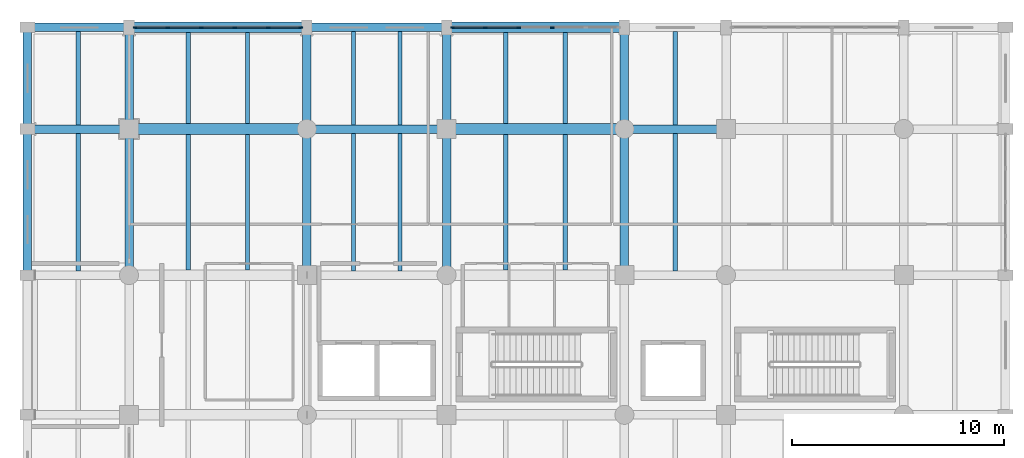
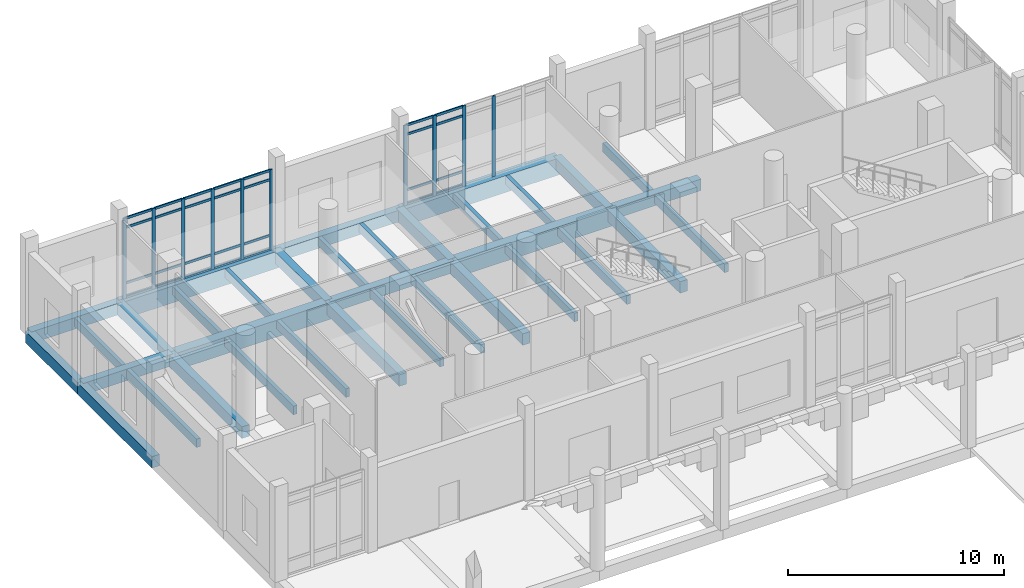
# One storey, part 17 of 72: 38 members, 35 beams, 2 elements without a shape of their own.
"""IFC4 building model written with IfcOpenShell, lengths in metres."""

from ifc_helpers import new_model, si_unit, direction, frame, origin, origin_2d, place, context, subcontext, project, spatial, rectangle, extrude, material, material_profile, profile_set, type_object, element, aggregate, save


model = new_model("IFC4")

# Units and contexts
model_context = context("Model", 3, precision=1e-05, world=origin(), true_north=direction((0.0, 1.0)))
body_context = subcontext(model_context, "Body", "Model", "MODEL_VIEW")
ifc_project = project(units=[si_unit("LENGTHUNIT", "METRE"), si_unit("AREAUNIT", "SQUARE_METRE"), si_unit("VOLUMEUNIT", "CUBIC_METRE"), si_unit("PLANEANGLEUNIT", "RADIAN"), si_unit("MASSUNIT", "GRAM", prefix="KILO")], contexts=[model_context])

# Site, building, storey
site_placement = place(None, origin())
site = spatial("IfcSite", under=ifc_project, at=site_placement, CompositionType="ELEMENT")
building_placement = place(site_placement, origin())
building = spatial("IfcBuilding", under=site, at=building_placement, Name="Dornvale Research Institute", CompositionType="ELEMENT")
storey_placement = place(building_placement, origin())
storey = spatial("IfcBuildingStorey", under=building, at=storey_placement, Name="L00", CompositionType="ELEMENT", Elevation=0.0)

# Beams
ifc_material_1 = material(Name="Concrete f'c 45 MPa (C35/45)", Category="concrete")
ifc_material_profile_1 = material_profile(ifc_material_1, rectangle(XDim=0.39990234375, YDim=0.64990234375, at=origin_2d()), Name="RC 400x650")
ifc_profile_set_1 = profile_set([ifc_material_profile_1], Name="Concrete f'c 45 MPa (C35/45)")
beam_type_1 = type_object("IfcBeamType", Name="Beam_RC400x650_Floor", PredefinedType="BEAM", material=ifc_profile_set_1)
beam_1_placement = place(storey_placement, frame((0.0, 117.300048828125, -0.324951171875), z_axis=(1.0, 0.0, 0.0), x_axis=(0.0, 1.0, 0.0)))
element("IfcBeam", 1, at=beam_1_placement, inside=storey, type_object=beam_type_1, Name="L00 primary girder #22", PredefinedType="BEAM", context=body_context, shape_type="SweptSolid", body=[
    extrude(rectangle(XDim=0.39990234375, YDim=0.64990234375, at=origin_2d()), origin(), (0.0, 0.0, 1.0), 4.800048828125),
])
beam_2_placement = place(storey_placement, frame((13.199951171875, 117.300048828125, -0.324951171875), z_axis=(1.0, 0.0, 0.0), x_axis=(0.0, 1.0, 0.0)))
element("IfcBeam", 2, at=beam_2_placement, inside=storey, type_object=beam_type_1, Name="L00 primary girder #24", PredefinedType="BEAM", context=body_context, shape_type="SweptSolid", body=[
    extrude(rectangle(XDim=0.39990234375, YDim=0.64990234375, at=origin_2d()), origin(), (0.0, 0.0, 1.0), 6.60009765625),
])
for number, where, z_axis, x_axis, name in (
    (3, (28.199951171875, 117.300048828125, -0.324951171875), (1.0, 0.0, 0.0), (0.0, 1.0, 0.0), "L00 primary girder #26"),
    (4, (0.0, 122.10009765625, -0.324951171875), (1.0, 0.0, 0.0), (0.0, 1.0, 0.0), "L00 primary girder #29"),
):
    element("IfcBeam", number, at=place(storey_placement, frame(where, z_axis=z_axis, x_axis=x_axis)), inside=storey, type_object=beam_type_1, Name=name, PredefinedType="BEAM", context=body_context, shape_type="SweptSolid", body=[
        extrude(rectangle(XDim=0.39990234375, YDim=0.64990234375, at=origin_2d()), origin(), (0.0, 0.0, 1.0), 4.800048828125),
    ])
beam_3_placement = place(storey_placement, frame((13.199951171875, 122.10009765625, -0.324951171875), z_axis=(1.0, 0.0, 0.0), x_axis=(0.0, 1.0, 0.0)))
element("IfcBeam", 5, at=beam_3_placement, inside=storey, type_object=beam_type_1, Name="L00 primary girder #31", PredefinedType="BEAM", context=body_context, shape_type="SweptSolid", body=[
    extrude(rectangle(XDim=0.39990234375, YDim=0.64990234375, at=origin_2d()), origin(), (0.0, 0.0, 1.0), 6.60009765625),
])
beam_4_placement = place(storey_placement, frame((0.0, 110.39990234375, -0.324951171875), z_axis=(0.0, 1.0, 0.0), x_axis=(-1.0, 0.0, 0.0)))
element("IfcBeam", 6, at=beam_4_placement, inside=storey, type_object=beam_type_1, Name="L00 transverse girder #38", PredefinedType="BEAM", context=body_context, shape_type="SweptSolid", body=[
    extrude(rectangle(XDim=0.39990234375, YDim=0.64990234375, at=origin_2d()), origin(), (0.0, 0.0, 1.0), 6.900146484375),
])
beam_5_placement = place(storey_placement, frame((0.0, 117.300048828125, -0.324951171875), z_axis=(0.0, 1.0, 0.0), x_axis=(-1.0, 0.0, 0.0)))
element("IfcBeam", 7, at=beam_5_placement, inside=storey, type_object=beam_type_1, Name="L00 transverse girder #39", PredefinedType="BEAM", context=body_context, shape_type="SweptSolid", body=[
    extrude(rectangle(XDim=0.39990234375, YDim=0.64990234375, at=origin_2d()), origin(), (0.0, 0.0, 1.0), 4.800048828125),
])
beam_6_placement = place(storey_placement, frame((4.800048828125, 110.39990234375, -0.324951171875), z_axis=(0.0, 1.0, 0.0), x_axis=(-1.0, 0.0, 0.0)))
element("IfcBeam", 8, at=beam_6_placement, inside=storey, type_object=beam_type_1, Name="L00 transverse girder #42", PredefinedType="BEAM", context=body_context, shape_type="SweptSolid", body=[
    extrude(rectangle(XDim=0.39990234375, YDim=0.64990234375, at=origin_2d()), origin(), (0.0, 0.0, 1.0), 6.900146484375),
])
beam_7_placement = place(storey_placement, frame((4.800048828125, 117.300048828125, -0.324951171875), z_axis=(0.0, 1.0, 0.0), x_axis=(-1.0, 0.0, 0.0)))
element("IfcBeam", 9, at=beam_7_placement, inside=storey, type_object=beam_type_1, Name="L00 transverse girder #43", PredefinedType="BEAM", context=body_context, shape_type="SweptSolid", body=[
    extrude(rectangle(XDim=0.39990234375, YDim=0.64990234375, at=origin_2d()), origin(), (0.0, 0.0, 1.0), 4.800048828125),
])
beam_8_placement = place(storey_placement, frame((13.199951171875, 110.39990234375, -0.324951171875), z_axis=(0.0, 1.0, 0.0), x_axis=(-1.0, 0.0, 0.0)))
element("IfcBeam", 10, at=beam_8_placement, inside=storey, type_object=beam_type_1, Name="L00 transverse girder #46", PredefinedType="BEAM", context=body_context, shape_type="SweptSolid", body=[
    extrude(rectangle(XDim=0.39990234375, YDim=0.64990234375, at=origin_2d()), origin(), (0.0, 0.0, 1.0), 6.900146484375),
])
beam_9_placement = place(storey_placement, frame((13.199951171875, 117.300048828125, -0.324951171875), z_axis=(0.0, 1.0, 0.0), x_axis=(-1.0, 0.0, 0.0)))
element("IfcBeam", 11, at=beam_9_placement, inside=storey, type_object=beam_type_1, Name="L00 transverse girder #47", PredefinedType="BEAM", context=body_context, shape_type="SweptSolid", body=[
    extrude(rectangle(XDim=0.39990234375, YDim=0.64990234375, at=origin_2d()), origin(), (0.0, 0.0, 1.0), 4.800048828125),
])
beam_10_placement = place(storey_placement, frame((19.800048828125, 110.39990234375, -0.324951171875), z_axis=(0.0, 1.0, 0.0), x_axis=(-1.0, 0.0, 0.0)))
element("IfcBeam", 12, at=beam_10_placement, inside=storey, type_object=beam_type_1, Name="L00 transverse girder #50", PredefinedType="BEAM", context=body_context, shape_type="SweptSolid", body=[
    extrude(rectangle(XDim=0.39990234375, YDim=0.64990234375, at=origin_2d()), origin(), (0.0, 0.0, 1.0), 6.900146484375),
])
beam_11_placement = place(storey_placement, frame((19.800048828125, 117.300048828125, -0.324951171875), z_axis=(0.0, 1.0, 0.0), x_axis=(-1.0, 0.0, 0.0)))
element("IfcBeam", 13, at=beam_11_placement, inside=storey, type_object=beam_type_1, Name="L00 transverse girder #51", PredefinedType="BEAM", context=body_context, shape_type="SweptSolid", body=[
    extrude(rectangle(XDim=0.39990234375, YDim=0.64990234375, at=origin_2d()), origin(), (0.0, 0.0, 1.0), 4.800048828125),
])
beam_12_placement = place(storey_placement, frame((28.199951171875, 110.39990234375, -0.324951171875), z_axis=(0.0, 1.0, 0.0), x_axis=(-1.0, 0.0, 0.0)))
element("IfcBeam", 14, at=beam_12_placement, inside=storey, type_object=beam_type_1, Name="L00 transverse girder #54", PredefinedType="BEAM", context=body_context, shape_type="SweptSolid", body=[
    extrude(rectangle(XDim=0.39990234375, YDim=0.64990234375, at=origin_2d()), origin(), (0.0, 0.0, 1.0), 6.900146484375),
])
beam_13_placement = place(storey_placement, frame((28.199951171875, 117.300048828125, -0.324951171875), z_axis=(0.0, 1.0, 0.0), x_axis=(-1.0, 0.0, 0.0)))
element("IfcBeam", 15, at=beam_13_placement, inside=storey, type_object=beam_type_1, Name="L00 transverse girder #55", PredefinedType="BEAM", context=body_context, shape_type="SweptSolid", body=[
    extrude(rectangle(XDim=0.39990234375, YDim=0.64990234375, at=origin_2d()), origin(), (0.0, 0.0, 1.0), 4.800048828125),
])
ifc_material_2 = material(Name="Concrete f'c 45 MPa (C35/45)", Category="concrete")
ifc_material_profile_2 = material_profile(ifc_material_2, rectangle(XDim=0.5, YDim=0.949951171875, at=origin_2d()), Name="RC 500x950")
ifc_profile_set_2 = profile_set([ifc_material_profile_2], Name="Concrete f'c 45 MPa (C35/45)")
beam_type_2 = type_object("IfcBeamType", Name="Beam_RC500x950_Girder", PredefinedType="BEAM", material=ifc_profile_set_2)
for number, where, z_axis, x_axis, name in (
    (16, (4.800048828125, 117.300048828125, -0.47509765625), (1.0, 0.0, 0.0), (0.0, 1.0, 0.0), "L00 primary girder #23"),
    (17, (19.800048828125, 117.300048828125, -0.47509765625), (1.0, 0.0, 0.0), (0.0, 1.0, 0.0), "L00 primary girder #25"),
    (18, (4.800048828125, 122.10009765625, -0.47509765625), (1.0, 0.0, 0.0), (0.0, 1.0, 0.0), "L00 primary girder #30"),
    (19, (19.800048828125, 122.10009765625, -0.47509765625), (1.0, 0.0, 0.0), (0.0, 1.0, 0.0), "L00 primary girder #32"),
):
    element("IfcBeam", number, at=place(storey_placement, frame(where, z_axis=z_axis, x_axis=x_axis)), inside=storey, type_object=beam_type_2, Name=name, PredefinedType="BEAM", context=body_context, shape_type="SweptSolid", body=[
        extrude(rectangle(XDim=0.5, YDim=0.949951171875, at=origin_2d()), origin(), (0.0, 0.0, 1.0), 8.39990234375),
    ])
ifc_material_3 = material(Name="Concrete f'c 45 MPa (C35/45)", Category="concrete")
ifc_material_profile_3 = material_profile(ifc_material_3, rectangle(XDim=0.199951171875, YDim=0.485107421875, at=origin_2d()), Name="RC 200x485")
ifc_profile_set_3 = profile_set([ifc_material_profile_3], Name="Concrete f'c 45 MPa (C35/45)")
beam_type_3 = type_object("IfcBeamType", Name="Joist_RC200x485_Rib", PredefinedType="JOIST", material=ifc_profile_set_3)
beam_14_placement = place(storey_placement, frame((2.39990234375, 110.60009765625, -0.242431640625), z_axis=(0.0, 1.0, 0.0), x_axis=(-1.0, 0.0, 0.0)))
element("IfcBeam", 20, at=beam_14_placement, inside=storey, type_object=beam_type_3, Name="L00 laboratory waffle joist #3", PredefinedType="JOIST", context=body_context, shape_type="SweptSolid", body=[
    extrude(rectangle(XDim=0.199951171875, YDim=0.485107421875, at=origin_2d()), origin(), (0.0, 0.0, 1.0), 6.5),
])
beam_15_placement = place(storey_placement, frame((2.39990234375, 117.5, -0.242431640625), z_axis=(0.0, 1.0, 0.0), x_axis=(-1.0, 0.0, 0.0)))
element("IfcBeam", 21, at=beam_15_placement, inside=storey, type_object=beam_type_3, Name="L00 laboratory waffle joist #4", PredefinedType="JOIST", context=body_context, shape_type="SweptSolid", body=[
    extrude(rectangle(XDim=0.199951171875, YDim=0.485107421875, at=origin_2d()), origin(), (0.0, 0.0, 1.0), 4.39990234375),
])
for number, where, z_axis, x_axis, name in (
    (22, (7.60009765625, 110.64990234375, -0.242431640625), (0.0, 1.0, 0.0), (-1.0, 0.0, 0.0), "L00 laboratory waffle joist #9"),
    (23, (10.39990234375, 110.64990234375, -0.242431640625), (0.0, 1.0, 0.0), (-1.0, 0.0, 0.0), "L00 laboratory waffle joist #10"),
):
    element("IfcBeam", number, at=place(storey_placement, frame(where, z_axis=z_axis, x_axis=x_axis)), inside=storey, type_object=beam_type_3, Name=name, PredefinedType="JOIST", context=body_context, shape_type="SweptSolid", body=[
        extrude(rectangle(XDim=0.199951171875, YDim=0.485107421875, at=origin_2d()), origin(), (0.0, 0.0, 1.0), 6.400146484375),
    ])
for number, where, z_axis, x_axis, name in (
    (24, (7.60009765625, 117.550048828125, -0.242431640625), (0.0, 1.0, 0.0), (-1.0, 0.0, 0.0), "L00 laboratory waffle joist #11"),
    (25, (10.39990234375, 117.550048828125, -0.242431640625), (0.0, 1.0, 0.0), (-1.0, 0.0, 0.0), "L00 laboratory waffle joist #12"),
):
    element("IfcBeam", number, at=place(storey_placement, frame(where, z_axis=z_axis, x_axis=x_axis)), inside=storey, type_object=beam_type_3, Name=name, PredefinedType="JOIST", context=body_context, shape_type="SweptSolid", body=[
        extrude(rectangle(XDim=0.199951171875, YDim=0.485107421875, at=origin_2d()), origin(), (0.0, 0.0, 1.0), 4.300048828125),
    ])
for number, where, z_axis, x_axis, name in (
    (26, (15.39990234375, 110.60009765625, -0.242431640625), (0.0, 1.0, 0.0), (-1.0, 0.0, 0.0), "L00 laboratory waffle joist #15"),
    (27, (17.60009765625, 110.60009765625, -0.242431640625), (0.0, 1.0, 0.0), (-1.0, 0.0, 0.0), "L00 laboratory waffle joist #16"),
):
    element("IfcBeam", number, at=place(storey_placement, frame(where, z_axis=z_axis, x_axis=x_axis)), inside=storey, type_object=beam_type_3, Name=name, PredefinedType="JOIST", context=body_context, shape_type="SweptSolid", body=[
        extrude(rectangle(XDim=0.199951171875, YDim=0.485107421875, at=origin_2d()), origin(), (0.0, 0.0, 1.0), 6.5),
    ])
for number, where, z_axis, x_axis, name in (
    (28, (15.39990234375, 117.5, -0.242431640625), (0.0, 1.0, 0.0), (-1.0, 0.0, 0.0), "L00 laboratory waffle joist #17"),
    (29, (17.60009765625, 117.5, -0.242431640625), (0.0, 1.0, 0.0), (-1.0, 0.0, 0.0), "L00 laboratory waffle joist #18"),
):
    element("IfcBeam", number, at=place(storey_placement, frame(where, z_axis=z_axis, x_axis=x_axis)), inside=storey, type_object=beam_type_3, Name=name, PredefinedType="JOIST", context=body_context, shape_type="SweptSolid", body=[
        extrude(rectangle(XDim=0.199951171875, YDim=0.485107421875, at=origin_2d()), origin(), (0.0, 0.0, 1.0), 4.39990234375),
    ])
for number, where, z_axis, x_axis, name in (
    (30, (22.60009765625, 110.64990234375, -0.242431640625), (0.0, 1.0, 0.0), (-1.0, 0.0, 0.0), "L00 laboratory waffle joist #21"),
    (31, (25.39990234375, 110.64990234375, -0.242431640625), (0.0, 1.0, 0.0), (-1.0, 0.0, 0.0), "L00 laboratory waffle joist #22"),
):
    element("IfcBeam", number, at=place(storey_placement, frame(where, z_axis=z_axis, x_axis=x_axis)), inside=storey, type_object=beam_type_3, Name=name, PredefinedType="JOIST", context=body_context, shape_type="SweptSolid", body=[
        extrude(rectangle(XDim=0.199951171875, YDim=0.485107421875, at=origin_2d()), origin(), (0.0, 0.0, 1.0), 6.400146484375),
    ])
for number, where, z_axis, x_axis, name in (
    (32, (22.60009765625, 117.550048828125, -0.242431640625), (0.0, 1.0, 0.0), (-1.0, 0.0, 0.0), "L00 laboratory waffle joist #23"),
    (33, (25.39990234375, 117.550048828125, -0.242431640625), (0.0, 1.0, 0.0), (-1.0, 0.0, 0.0), "L00 laboratory waffle joist #24"),
):
    element("IfcBeam", number, at=place(storey_placement, frame(where, z_axis=z_axis, x_axis=x_axis)), inside=storey, type_object=beam_type_3, Name=name, PredefinedType="JOIST", context=body_context, shape_type="SweptSolid", body=[
        extrude(rectangle(XDim=0.199951171875, YDim=0.485107421875, at=origin_2d()), origin(), (0.0, 0.0, 1.0), 4.300048828125),
    ])
beam_16_placement = place(storey_placement, frame((30.60009765625, 110.60009765625, -0.242431640625), z_axis=(0.0, 1.0, 0.0), x_axis=(-1.0, 0.0, 0.0)))
element("IfcBeam", 34, at=beam_16_placement, inside=storey, type_object=beam_type_3, Name="L00 laboratory waffle joist #26", PredefinedType="JOIST", context=body_context, shape_type="SweptSolid", body=[
    extrude(rectangle(XDim=0.199951171875, YDim=0.485107421875, at=origin_2d()), origin(), (0.0, 0.0, 1.0), 6.5),
])
beam_17_placement = place(storey_placement, frame((30.60009765625, 117.5, -0.242431640625), z_axis=(0.0, 1.0, 0.0), x_axis=(-1.0, 0.0, 0.0)))
element("IfcBeam", 35, at=beam_17_placement, inside=storey, type_object=beam_type_3, Name="L00 laboratory waffle joist #27", PredefinedType="JOIST", context=body_context, shape_type="SweptSolid", body=[
    extrude(rectangle(XDim=0.199951171875, YDim=0.485107421875, at=origin_2d()), origin(), (0.0, 0.0, 1.0), 4.39990234375),
])

# Curtain wall, members
ifc_material_4 = material(Name="Low-E Argon Double Insulating Glazing Unit", Category="glass")
curtain_wall_type = type_object("IfcCurtainWallType", Name="UnitisedCurtainWall_V5_7900x4550", PredefinedType="USERDEFINED", material=ifc_material_4)
curtain_wall_1_placement = place(storey_placement, origin())
curtain_wall_1 = element("IfcCurtainWall", 36, at=curtain_wall_1_placement, inside=storey, type_object=curtain_wall_type, Name="L00 V5 unitised curtain wall CW-20 #125", ObjectType="UNITISED CURTAIN WALL", PredefinedType="USERDEFINED")
ifc_material_5 = material(Name="Anodized Aluminum AA 6063-T6 Thermally Broken Frame", Category="aluminium")
ifc_material_profile_4 = material_profile(ifc_material_5, rectangle(XDim=0.06494140625, YDim=0.179931640625, at=origin_2d()), Name="ALU MULLION 65x180")
ifc_profile_set_4 = profile_set([ifc_material_profile_4], Name="Anodized Aluminum AA 6063-T6 Thermally Broken Frame")
member_type_1 = type_object("IfcMemberType", Name="Mullion_CW_65x180", PredefinedType="MULLION", material=ifc_profile_set_4)
member_1_placement = place(storey_placement, frame((5.08251953125, 122.10009765625, 0.0), z_axis=(0.0, 0.0, 1.0), x_axis=(0.0, 1.0, 0.0)))
member_1 = element("IfcMember", 37, at=member_1_placement, type_object=member_type_1, Name="CW-20 mullion 1", PredefinedType="MULLION", context=body_context, shape_type="SweptSolid", body=[
    extrude(rectangle(XDim=0.06494140625, YDim=0.179931640625, at=origin_2d()), origin(), (0.0, 0.0, 1.0), 4.550048828125),
])
member_2_placement = place(storey_placement, frame((6.6298828125, 122.10009765625, 0.0), z_axis=(0.0, 0.0, 1.0), x_axis=(0.0, 1.0, 0.0)))
member_2 = element("IfcMember", 38, at=member_2_placement, type_object=member_type_1, Name="CW-20 mullion 2", PredefinedType="MULLION", context=body_context, shape_type="SweptSolid", body=[
    extrude(rectangle(XDim=0.06494140625, YDim=0.179931640625, at=origin_2d()), origin(), (0.0, 0.0, 1.0), 4.550048828125),
])
member_3_placement = place(storey_placement, frame((8.2099609375, 122.10009765625, 0.0), z_axis=(0.0, 0.0, 1.0), x_axis=(0.0, 1.0, 0.0)))
member_3 = element("IfcMember", 39, at=member_3_placement, type_object=member_type_1, Name="CW-20 mullion 3", PredefinedType="MULLION", context=body_context, shape_type="SweptSolid", body=[
    extrude(rectangle(XDim=0.06494140625, YDim=0.179931640625, at=origin_2d()), origin(), (0.0, 0.0, 1.0), 4.550048828125),
])
member_4_placement = place(storey_placement, frame((9.7900390625, 122.10009765625, 0.0), z_axis=(0.0, 0.0, 1.0), x_axis=(0.0, 1.0, 0.0)))
member_4 = element("IfcMember", 40, at=member_4_placement, type_object=member_type_1, Name="CW-20 mullion 4", PredefinedType="MULLION", context=body_context, shape_type="SweptSolid", body=[
    extrude(rectangle(XDim=0.06494140625, YDim=0.179931640625, at=origin_2d()), origin(), (0.0, 0.0, 1.0), 4.550048828125),
])
member_5_placement = place(storey_placement, frame((11.3701171875, 122.10009765625, 0.0), z_axis=(0.0, 0.0, 1.0), x_axis=(0.0, 1.0, 0.0)))
member_5 = element("IfcMember", 41, at=member_5_placement, type_object=member_type_1, Name="CW-20 mullion 5", PredefinedType="MULLION", context=body_context, shape_type="SweptSolid", body=[
    extrude(rectangle(XDim=0.06494140625, YDim=0.179931640625, at=origin_2d()), origin(), (0.0, 0.0, 1.0), 4.550048828125),
])
member_6_placement = place(storey_placement, frame((12.91748046875, 122.10009765625, 0.0), z_axis=(0.0, 0.0, 1.0), x_axis=(0.0, 1.0, 0.0)))
member_6 = element("IfcMember", 42, at=member_6_placement, type_object=member_type_1, Name="CW-20 mullion 6", PredefinedType="MULLION", context=body_context, shape_type="SweptSolid", body=[
    extrude(rectangle(XDim=0.06494140625, YDim=0.179931640625, at=origin_2d()), origin(), (0.0, 0.0, 1.0), 4.550048828125),
])

curtain_wall_2_placement = place(storey_placement, origin())
curtain_wall_2 = element("IfcCurtainWall", 43, at=curtain_wall_2_placement, inside=storey, type_object=curtain_wall_type, Name="L00 V5 unitised curtain wall CW-20 #126", ObjectType="UNITISED CURTAIN WALL", PredefinedType="USERDEFINED")
member_7_placement = place(storey_placement, frame((20.08251953125, 122.10009765625, 0.0), z_axis=(0.0, 0.0, 1.0), x_axis=(0.0, 1.0, 0.0)))
member_7 = element("IfcMember", 44, at=member_7_placement, type_object=member_type_1, Name="CW-20 mullion 1", PredefinedType="MULLION", context=body_context, shape_type="SweptSolid", body=[
    extrude(rectangle(XDim=0.06494140625, YDim=0.179931640625, at=origin_2d()), origin(), (0.0, 0.0, 1.0), 4.550048828125),
])
member_8_placement = place(storey_placement, frame((21.6298828125, 122.10009765625, 0.0), z_axis=(0.0, 0.0, 1.0), x_axis=(0.0, 1.0, 0.0)))
member_8 = element("IfcMember", 45, at=member_8_placement, type_object=member_type_1, Name="CW-20 mullion 2", PredefinedType="MULLION", context=body_context, shape_type="SweptSolid", body=[
    extrude(rectangle(XDim=0.06494140625, YDim=0.179931640625, at=origin_2d()), origin(), (0.0, 0.0, 1.0), 4.550048828125),
])
member_9_placement = place(storey_placement, frame((23.2099609375, 122.10009765625, 0.0), z_axis=(0.0, 0.0, 1.0), x_axis=(0.0, 1.0, 0.0)))
member_9 = element("IfcMember", 46, at=member_9_placement, type_object=member_type_1, Name="CW-20 mullion 3", PredefinedType="MULLION", context=body_context, shape_type="SweptSolid", body=[
    extrude(rectangle(XDim=0.06494140625, YDim=0.179931640625, at=origin_2d()), origin(), (0.0, 0.0, 1.0), 4.550048828125),
])
member_10_placement = place(storey_placement, frame((24.7900390625, 122.10009765625, 0.0), z_axis=(0.0, 0.0, 1.0), x_axis=(0.0, 1.0, 0.0)))
member_10 = element("IfcMember", 47, at=member_10_placement, type_object=member_type_1, Name="CW-20 mullion 4", PredefinedType="MULLION", context=body_context, shape_type="SweptSolid", body=[
    extrude(rectangle(XDim=0.06494140625, YDim=0.179931640625, at=origin_2d()), origin(), (0.0, 0.0, 1.0), 4.550048828125),
])

# Member
ifc_material_6 = material(Name="Anodized Aluminum AA 6063-T6 Thermally Broken Frame", Category="aluminium")
ifc_material_profile_5 = material_profile(ifc_material_6, rectangle(XDim=0.06494140625, YDim=0.135009765625, at=origin_2d()), Name="ALU TRANSOM 65x135")
ifc_profile_set_5 = profile_set([ifc_material_profile_5], Name="Anodized Aluminum AA 6063-T6 Thermally Broken Frame")
member_type_2 = type_object("IfcMemberType", Name="Transom_CW_65x135", PredefinedType="USERDEFINED", material=ifc_profile_set_5)
member_11_placement = place(storey_placement, frame((5.114990234375, 122.10009765625, 0.032470703125), z_axis=(1.0, 0.0, 0.0), x_axis=(0.0, 1.0, 0.0)))
member_11 = element("IfcMember", 48, at=member_11_placement, type_object=member_type_2, Name="CW-20 transom 1.1", ObjectType="TRANSOM", PredefinedType="USERDEFINED", context=body_context, shape_type="SweptSolid", body=[
    extrude(rectangle(XDim=0.06494140625, YDim=0.135009765625, at=origin_2d()), origin(), (0.0, 0.0, 1.0), 1.482421875),
])

member_12_placement = place(storey_placement, frame((5.114990234375, 122.10009765625, 0.85009765625), z_axis=(1.0, 0.0, 0.0), x_axis=(0.0, 1.0, 0.0)))
member_12 = element("IfcMember", 49, at=member_12_placement, type_object=member_type_2, Name="CW-20 transom 1.2", ObjectType="TRANSOM", PredefinedType="USERDEFINED", context=body_context, shape_type="SweptSolid", body=[
    extrude(rectangle(XDim=0.06494140625, YDim=0.135009765625, at=origin_2d()), origin(), (0.0, 0.0, 1.0), 1.482421875),
])

member_13_placement = place(storey_placement, frame((5.114990234375, 122.10009765625, 4.0), z_axis=(1.0, 0.0, 0.0), x_axis=(0.0, 1.0, 0.0)))
member_13 = element("IfcMember", 50, at=member_13_placement, type_object=member_type_2, Name="CW-20 transom 1.3", ObjectType="TRANSOM", PredefinedType="USERDEFINED", context=body_context, shape_type="SweptSolid", body=[
    extrude(rectangle(XDim=0.06494140625, YDim=0.135009765625, at=origin_2d()), origin(), (0.0, 0.0, 1.0), 1.482421875),
])

member_14_placement = place(storey_placement, frame((5.114990234375, 122.10009765625, 4.517578125), z_axis=(1.0, 0.0, 0.0), x_axis=(0.0, 1.0, 0.0)))
member_14 = element("IfcMember", 51, at=member_14_placement, type_object=member_type_2, Name="CW-20 transom 1.4", ObjectType="TRANSOM", PredefinedType="USERDEFINED", context=body_context, shape_type="SweptSolid", body=[
    extrude(rectangle(XDim=0.06494140625, YDim=0.135009765625, at=origin_2d()), origin(), (0.0, 0.0, 1.0), 1.482421875),
])

member_15_placement = place(storey_placement, frame((6.66259765625, 122.10009765625, 0.032470703125), z_axis=(1.0, 0.0, 0.0), x_axis=(0.0, 1.0, 0.0)))
member_15 = element("IfcMember", 52, at=member_15_placement, type_object=member_type_2, Name="CW-20 transom 2.1", ObjectType="TRANSOM", PredefinedType="USERDEFINED", context=body_context, shape_type="SweptSolid", body=[
    extrude(rectangle(XDim=0.06494140625, YDim=0.135009765625, at=origin_2d()), origin(), (0.0, 0.0, 1.0), 1.514892578125),
])

member_16_placement = place(storey_placement, frame((6.66259765625, 122.10009765625, 0.85009765625), z_axis=(1.0, 0.0, 0.0), x_axis=(0.0, 1.0, 0.0)))
member_16 = element("IfcMember", 53, at=member_16_placement, type_object=member_type_2, Name="CW-20 transom 2.2", ObjectType="TRANSOM", PredefinedType="USERDEFINED", context=body_context, shape_type="SweptSolid", body=[
    extrude(rectangle(XDim=0.06494140625, YDim=0.135009765625, at=origin_2d()), origin(), (0.0, 0.0, 1.0), 1.514892578125),
])

member_17_placement = place(storey_placement, frame((6.66259765625, 122.10009765625, 4.0), z_axis=(1.0, 0.0, 0.0), x_axis=(0.0, 1.0, 0.0)))
member_17 = element("IfcMember", 54, at=member_17_placement, type_object=member_type_2, Name="CW-20 transom 2.3", ObjectType="TRANSOM", PredefinedType="USERDEFINED", context=body_context, shape_type="SweptSolid", body=[
    extrude(rectangle(XDim=0.06494140625, YDim=0.135009765625, at=origin_2d()), origin(), (0.0, 0.0, 1.0), 1.514892578125),
])

member_18_placement = place(storey_placement, frame((6.66259765625, 122.10009765625, 4.517578125), z_axis=(1.0, 0.0, 0.0), x_axis=(0.0, 1.0, 0.0)))
member_18 = element("IfcMember", 55, at=member_18_placement, type_object=member_type_2, Name="CW-20 transom 2.4", ObjectType="TRANSOM", PredefinedType="USERDEFINED", context=body_context, shape_type="SweptSolid", body=[
    extrude(rectangle(XDim=0.06494140625, YDim=0.135009765625, at=origin_2d()), origin(), (0.0, 0.0, 1.0), 1.514892578125),
])

member_19_placement = place(storey_placement, frame((8.242431640625, 122.10009765625, 0.032470703125), z_axis=(1.0, 0.0, 0.0), x_axis=(0.0, 1.0, 0.0)))
member_19 = element("IfcMember", 56, at=member_19_placement, type_object=member_type_2, Name="CW-20 transom 3.1", ObjectType="TRANSOM", PredefinedType="USERDEFINED", context=body_context, shape_type="SweptSolid", body=[
    extrude(rectangle(XDim=0.06494140625, YDim=0.135009765625, at=origin_2d()), origin(), (0.0, 0.0, 1.0), 1.51513671875),
])

member_20_placement = place(storey_placement, frame((8.242431640625, 122.10009765625, 0.85009765625), z_axis=(1.0, 0.0, 0.0), x_axis=(0.0, 1.0, 0.0)))
member_20 = element("IfcMember", 57, at=member_20_placement, type_object=member_type_2, Name="CW-20 transom 3.2", ObjectType="TRANSOM", PredefinedType="USERDEFINED", context=body_context, shape_type="SweptSolid", body=[
    extrude(rectangle(XDim=0.06494140625, YDim=0.135009765625, at=origin_2d()), origin(), (0.0, 0.0, 1.0), 1.51513671875),
])

member_21_placement = place(storey_placement, frame((8.242431640625, 122.10009765625, 4.0), z_axis=(1.0, 0.0, 0.0), x_axis=(0.0, 1.0, 0.0)))
member_21 = element("IfcMember", 58, at=member_21_placement, type_object=member_type_2, Name="CW-20 transom 3.3", ObjectType="TRANSOM", PredefinedType="USERDEFINED", context=body_context, shape_type="SweptSolid", body=[
    extrude(rectangle(XDim=0.06494140625, YDim=0.135009765625, at=origin_2d()), origin(), (0.0, 0.0, 1.0), 1.51513671875),
])

member_22_placement = place(storey_placement, frame((8.242431640625, 122.10009765625, 4.517578125), z_axis=(1.0, 0.0, 0.0), x_axis=(0.0, 1.0, 0.0)))
member_22 = element("IfcMember", 59, at=member_22_placement, type_object=member_type_2, Name="CW-20 transom 3.4", ObjectType="TRANSOM", PredefinedType="USERDEFINED", context=body_context, shape_type="SweptSolid", body=[
    extrude(rectangle(XDim=0.06494140625, YDim=0.135009765625, at=origin_2d()), origin(), (0.0, 0.0, 1.0), 1.51513671875),
])

member_23_placement = place(storey_placement, frame((9.822509765625, 122.10009765625, 0.032470703125), z_axis=(1.0, 0.0, 0.0), x_axis=(0.0, 1.0, 0.0)))
member_23 = element("IfcMember", 60, at=member_23_placement, type_object=member_type_2, Name="CW-20 transom 4.1", ObjectType="TRANSOM", PredefinedType="USERDEFINED", context=body_context, shape_type="SweptSolid", body=[
    extrude(rectangle(XDim=0.06494140625, YDim=0.135009765625, at=origin_2d()), origin(), (0.0, 0.0, 1.0), 1.514892578125),
])

member_24_placement = place(storey_placement, frame((9.822509765625, 122.10009765625, 0.85009765625), z_axis=(1.0, 0.0, 0.0), x_axis=(0.0, 1.0, 0.0)))
member_24 = element("IfcMember", 61, at=member_24_placement, type_object=member_type_2, Name="CW-20 transom 4.2", ObjectType="TRANSOM", PredefinedType="USERDEFINED", context=body_context, shape_type="SweptSolid", body=[
    extrude(rectangle(XDim=0.06494140625, YDim=0.135009765625, at=origin_2d()), origin(), (0.0, 0.0, 1.0), 1.514892578125),
])

member_25_placement = place(storey_placement, frame((9.822509765625, 122.10009765625, 4.0), z_axis=(1.0, 0.0, 0.0), x_axis=(0.0, 1.0, 0.0)))
member_25 = element("IfcMember", 62, at=member_25_placement, type_object=member_type_2, Name="CW-20 transom 4.3", ObjectType="TRANSOM", PredefinedType="USERDEFINED", context=body_context, shape_type="SweptSolid", body=[
    extrude(rectangle(XDim=0.06494140625, YDim=0.135009765625, at=origin_2d()), origin(), (0.0, 0.0, 1.0), 1.514892578125),
])

member_26_placement = place(storey_placement, frame((9.822509765625, 122.10009765625, 4.517578125), z_axis=(1.0, 0.0, 0.0), x_axis=(0.0, 1.0, 0.0)))
member_26 = element("IfcMember", 63, at=member_26_placement, type_object=member_type_2, Name="CW-20 transom 4.4", ObjectType="TRANSOM", PredefinedType="USERDEFINED", context=body_context, shape_type="SweptSolid", body=[
    extrude(rectangle(XDim=0.06494140625, YDim=0.135009765625, at=origin_2d()), origin(), (0.0, 0.0, 1.0), 1.514892578125),
])

member_27_placement = place(storey_placement, frame((11.402587890625, 122.10009765625, 0.032470703125), z_axis=(1.0, 0.0, 0.0), x_axis=(0.0, 1.0, 0.0)))
member_27 = element("IfcMember", 64, at=member_27_placement, type_object=member_type_2, Name="CW-20 transom 5.1", ObjectType="TRANSOM", PredefinedType="USERDEFINED", context=body_context, shape_type="SweptSolid", body=[
    extrude(rectangle(XDim=0.06494140625, YDim=0.135009765625, at=origin_2d()), origin(), (0.0, 0.0, 1.0), 1.482421875),
])

member_28_placement = place(storey_placement, frame((11.402587890625, 122.10009765625, 0.85009765625), z_axis=(1.0, 0.0, 0.0), x_axis=(0.0, 1.0, 0.0)))
member_28 = element("IfcMember", 65, at=member_28_placement, type_object=member_type_2, Name="CW-20 transom 5.2", ObjectType="TRANSOM", PredefinedType="USERDEFINED", context=body_context, shape_type="SweptSolid", body=[
    extrude(rectangle(XDim=0.06494140625, YDim=0.135009765625, at=origin_2d()), origin(), (0.0, 0.0, 1.0), 1.482421875),
])

member_29_placement = place(storey_placement, frame((11.402587890625, 122.10009765625, 4.0), z_axis=(1.0, 0.0, 0.0), x_axis=(0.0, 1.0, 0.0)))
member_29 = element("IfcMember", 66, at=member_29_placement, type_object=member_type_2, Name="CW-20 transom 5.3", ObjectType="TRANSOM", PredefinedType="USERDEFINED", context=body_context, shape_type="SweptSolid", body=[
    extrude(rectangle(XDim=0.06494140625, YDim=0.135009765625, at=origin_2d()), origin(), (0.0, 0.0, 1.0), 1.482421875),
])

member_30_placement = place(storey_placement, frame((11.402587890625, 122.10009765625, 4.517578125), z_axis=(1.0, 0.0, 0.0), x_axis=(0.0, 1.0, 0.0)))
member_30 = element("IfcMember", 67, at=member_30_placement, type_object=member_type_2, Name="CW-20 transom 5.4", ObjectType="TRANSOM", PredefinedType="USERDEFINED", context=body_context, shape_type="SweptSolid", body=[
    extrude(rectangle(XDim=0.06494140625, YDim=0.135009765625, at=origin_2d()), origin(), (0.0, 0.0, 1.0), 1.482421875),
])

aggregate(curtain_wall_1, [member_1, member_2, member_3, member_4, member_5, member_6, member_11, member_12, member_13, member_14, member_15, member_16, member_17, member_18, member_19, member_20, member_21, member_22, member_23, member_24, member_25, member_26, member_27, member_28, member_29, member_30])

member_31_placement = place(storey_placement, frame((20.114990234375, 122.10009765625, 0.032470703125), z_axis=(1.0, 0.0, 0.0), x_axis=(0.0, 1.0, 0.0)))
member_31 = element("IfcMember", 68, at=member_31_placement, type_object=member_type_2, Name="CW-20 transom 1.1", ObjectType="TRANSOM", PredefinedType="USERDEFINED", context=body_context, shape_type="SweptSolid", body=[
    extrude(rectangle(XDim=0.06494140625, YDim=0.135009765625, at=origin_2d()), origin(), (0.0, 0.0, 1.0), 1.482421875),
])

member_32_placement = place(storey_placement, frame((20.114990234375, 122.10009765625, 0.85009765625), z_axis=(1.0, 0.0, 0.0), x_axis=(0.0, 1.0, 0.0)))
member_32 = element("IfcMember", 69, at=member_32_placement, type_object=member_type_2, Name="CW-20 transom 1.2", ObjectType="TRANSOM", PredefinedType="USERDEFINED", context=body_context, shape_type="SweptSolid", body=[
    extrude(rectangle(XDim=0.06494140625, YDim=0.135009765625, at=origin_2d()), origin(), (0.0, 0.0, 1.0), 1.482421875),
])

member_33_placement = place(storey_placement, frame((20.114990234375, 122.10009765625, 4.0), z_axis=(1.0, 0.0, 0.0), x_axis=(0.0, 1.0, 0.0)))
member_33 = element("IfcMember", 70, at=member_33_placement, type_object=member_type_2, Name="CW-20 transom 1.3", ObjectType="TRANSOM", PredefinedType="USERDEFINED", context=body_context, shape_type="SweptSolid", body=[
    extrude(rectangle(XDim=0.06494140625, YDim=0.135009765625, at=origin_2d()), origin(), (0.0, 0.0, 1.0), 1.482421875),
])

member_34_placement = place(storey_placement, frame((20.114990234375, 122.10009765625, 4.517578125), z_axis=(1.0, 0.0, 0.0), x_axis=(0.0, 1.0, 0.0)))
member_34 = element("IfcMember", 71, at=member_34_placement, type_object=member_type_2, Name="CW-20 transom 1.4", ObjectType="TRANSOM", PredefinedType="USERDEFINED", context=body_context, shape_type="SweptSolid", body=[
    extrude(rectangle(XDim=0.06494140625, YDim=0.135009765625, at=origin_2d()), origin(), (0.0, 0.0, 1.0), 1.482421875),
])

member_35_placement = place(storey_placement, frame((21.66259765625, 122.10009765625, 0.032470703125), z_axis=(1.0, 0.0, 0.0), x_axis=(0.0, 1.0, 0.0)))
member_35 = element("IfcMember", 72, at=member_35_placement, type_object=member_type_2, Name="CW-20 transom 2.1", ObjectType="TRANSOM", PredefinedType="USERDEFINED", context=body_context, shape_type="SweptSolid", body=[
    extrude(rectangle(XDim=0.06494140625, YDim=0.135009765625, at=origin_2d()), origin(), (0.0, 0.0, 1.0), 1.514892578125),
])

member_36_placement = place(storey_placement, frame((21.66259765625, 122.10009765625, 0.85009765625), z_axis=(1.0, 0.0, 0.0), x_axis=(0.0, 1.0, 0.0)))
member_36 = element("IfcMember", 73, at=member_36_placement, type_object=member_type_2, Name="CW-20 transom 2.2", ObjectType="TRANSOM", PredefinedType="USERDEFINED", context=body_context, shape_type="SweptSolid", body=[
    extrude(rectangle(XDim=0.06494140625, YDim=0.135009765625, at=origin_2d()), origin(), (0.0, 0.0, 1.0), 1.514892578125),
])

member_37_placement = place(storey_placement, frame((21.66259765625, 122.10009765625, 4.0), z_axis=(1.0, 0.0, 0.0), x_axis=(0.0, 1.0, 0.0)))
member_37 = element("IfcMember", 74, at=member_37_placement, type_object=member_type_2, Name="CW-20 transom 2.3", ObjectType="TRANSOM", PredefinedType="USERDEFINED", context=body_context, shape_type="SweptSolid", body=[
    extrude(rectangle(XDim=0.06494140625, YDim=0.135009765625, at=origin_2d()), origin(), (0.0, 0.0, 1.0), 1.514892578125),
])

member_38_placement = place(storey_placement, frame((21.66259765625, 122.10009765625, 4.517578125), z_axis=(1.0, 0.0, 0.0), x_axis=(0.0, 1.0, 0.0)))
member_38 = element("IfcMember", 75, at=member_38_placement, type_object=member_type_2, Name="CW-20 transom 2.4", ObjectType="TRANSOM", PredefinedType="USERDEFINED", context=body_context, shape_type="SweptSolid", body=[
    extrude(rectangle(XDim=0.06494140625, YDim=0.135009765625, at=origin_2d()), origin(), (0.0, 0.0, 1.0), 1.514892578125),
])

aggregate(curtain_wall_2, [member_7, member_8, member_9, member_10, member_31, member_32, member_33, member_34, member_35, member_36, member_37, member_38])

save(model, "model.ifc")
